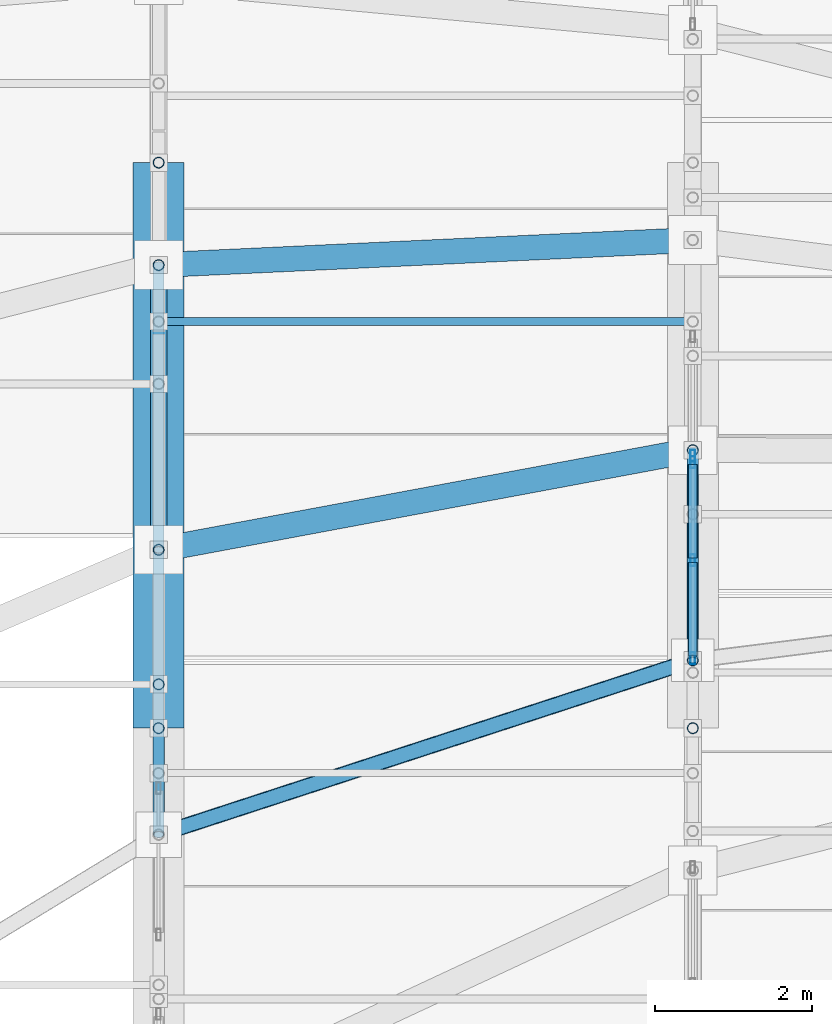
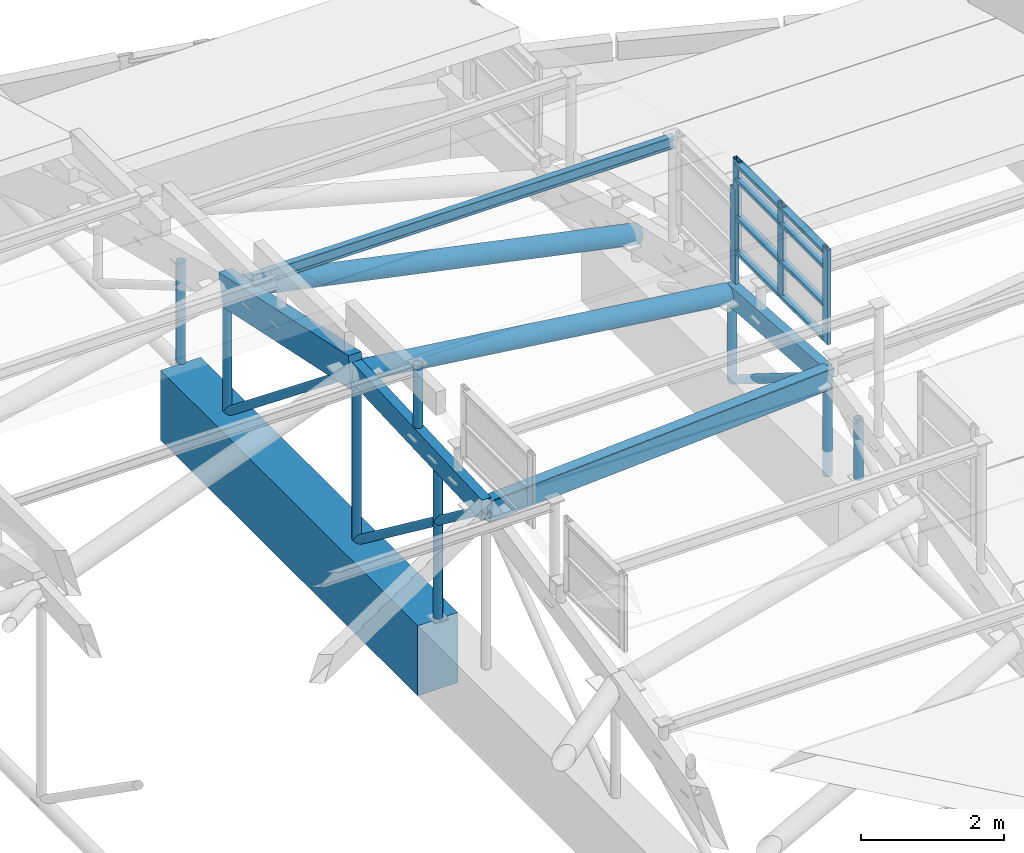
# One storey, part 104 of 188: 30 members, 1 beam, 2 elements without a shape of their own.
"""IFC4 building model written with IfcOpenShell, lengths in metres."""

from ifc_helpers import new_model, si_unit, direction, frame, origin, origin_2d, place, context, subcontext, project, spatial, rectangle, hollow_rectangle, hollow_circle, i_section, extrude, material, layer, layer_set, material_profile, profile_set, type_object, element, aggregate, save


model = new_model("IFC4")

# Units and contexts
model_context = context("Model", 3, precision=1e-05, world=origin(), true_north=direction((0.0, 1.0)))
body_context = subcontext(model_context, "Body", "Model", "MODEL_VIEW")
ifc_project = project(units=[si_unit("LENGTHUNIT", "METRE"), si_unit("AREAUNIT", "SQUARE_METRE"), si_unit("VOLUMEUNIT", "CUBIC_METRE"), si_unit("PLANEANGLEUNIT", "RADIAN"), si_unit("MASSUNIT", "GRAM", prefix="KILO")], contexts=[model_context])

# Site, building, storey
site_placement = place(None, origin())
site = spatial("IfcSite", under=ifc_project, at=site_placement, CompositionType="ELEMENT")
building_placement = place(site_placement, origin())
building = spatial("IfcBuilding", under=site, at=building_placement, Name="Kisaragi Civic Commons", CompositionType="ELEMENT")
storey_placement = place(building_placement, frame((0.0, 0.0, 9.60009765625)))
storey = spatial("IfcBuildingStorey", under=building, at=storey_placement, Name="L02", CompositionType="ELEMENT", Elevation=9.60009765625)

# Curtain wall, members
ifc_material_1 = material(Name="Thermally broken anodized aluminium and low-E double glazing", Category="aluminium")
ifc_layer = layer(ifc_material_1, 0.14990234375, Name="Thermally broken anodized aluminium and low-E double glazing", Category="aluminium")
ifc_layer_set = layer_set([ifc_layer], Name="Thermally broken anodized aluminium and low-E double glazing")
curtain_wall_type = type_object("IfcCurtainWallType", Name="CW-03", PredefinedType="NOTDEFINED", material=ifc_layer_set)
curtain_wall_1_placement = place(storey_placement, origin())
curtain_wall_1 = element("IfcCurtainWall", 1, at=curtain_wall_1_placement, inside=storey, type_object=curtain_wall_type, Name="L02 curtain wall CW-03 CW-CL-V2-216", PredefinedType="NOTDEFINED")
ifc_material_profile_1 = material_profile(ifc_material_1, hollow_rectangle(XDim=0.06005859375, YDim=0.14990234375, WallThickness=0.00390625, InnerFilletRadius=0.00390625, OuterFilletRadius=0.008056640625, at=origin_2d()), Name="CWM-60x150x4", Category="aluminium")
ifc_profile_set_1 = profile_set([ifc_material_profile_1], Name="Thermally broken anodized aluminium and low-E double glazing")
member_type_1 = type_object("IfcMemberType", Name="CWM-01", PredefinedType="MULLION", material=ifc_profile_set_1)
member_1_placement = place(storey_placement, frame((40.800048828125, 105.291748046875, 1.763427734375), z_axis=(0.0, 0.0, 1.0), x_axis=(-1.0, 0.0, 0.0)))
member_1 = element("IfcMember", 2, at=member_1_placement, type_object=member_type_1, Name="CW-03 mullion 1", PredefinedType="MULLION", context=body_context, shape_type="SweptSolid", body=[
    extrude(hollow_rectangle(XDim=0.06005859375, YDim=0.14990234375, WallThickness=0.00390625, InnerFilletRadius=0.00390625, OuterFilletRadius=0.008056640625, at=origin_2d()), origin(), (0.0, 0.0, 1.0), 1.619384765625),
])
member_2_placement = place(storey_placement, frame((40.800048828125, 106.53857421875, 1.763427734375), z_axis=(0.0, 0.0, 1.0), x_axis=(-1.0, 0.0, 0.0)))
member_2 = element("IfcMember", 3, at=member_2_placement, type_object=member_type_1, Name="CW-03 mullion 2", PredefinedType="MULLION", context=body_context, shape_type="SweptSolid", body=[
    extrude(hollow_rectangle(XDim=0.06005859375, YDim=0.14990234375, WallThickness=0.00390625, InnerFilletRadius=0.00390625, OuterFilletRadius=0.008056640625, at=origin_2d()), origin(), (0.0, 0.0, 1.0), 1.619384765625),
])
member_3_placement = place(storey_placement, frame((40.800048828125, 107.785400390625, 1.763427734375), z_axis=(0.0, 0.0, 1.0), x_axis=(-1.0, 0.0, 0.0)))
member_3 = element("IfcMember", 4, at=member_3_placement, type_object=member_type_1, Name="CW-03 mullion 3", PredefinedType="MULLION", context=body_context, shape_type="SweptSolid", body=[
    extrude(hollow_rectangle(XDim=0.06005859375, YDim=0.14990234375, WallThickness=0.00390625, InnerFilletRadius=0.00390625, OuterFilletRadius=0.008056640625, at=origin_2d()), origin(), (0.0, 0.0, 1.0), 1.619384765625),
])

# Curtain wall, member
curtain_wall_2_placement = place(storey_placement, origin())
curtain_wall_2 = element("IfcCurtainWall", 5, at=curtain_wall_2_placement, inside=storey, type_object=curtain_wall_type, Name="L02 curtain wall CW-03 CW-CL-V2-217", PredefinedType="NOTDEFINED")
member_4_placement = place(storey_placement, frame((40.800048828125, 107.869384765625, 1.235595703125), z_axis=(0.0, 0.0, 1.0), x_axis=(-1.0, 0.0, 0.0)))
member_4 = element("IfcMember", 6, at=member_4_placement, type_object=member_type_1, Name="CW-03 mullion 1", PredefinedType="MULLION", context=body_context, shape_type="SweptSolid", body=[
    extrude(hollow_rectangle(XDim=0.06005859375, YDim=0.14990234375, WallThickness=0.00390625, InnerFilletRadius=0.00390625, OuterFilletRadius=0.008056640625, at=origin_2d()), origin(), (0.0, 0.0, 1.0), 1.61962890625),
])
aggregate(curtain_wall_2, [member_4])

# Member
ifc_material_profile_2 = material_profile(ifc_material_1, hollow_rectangle(XDim=0.1201171875, YDim=0.06005859375, WallThickness=0.00390625, InnerFilletRadius=0.00390625, OuterFilletRadius=0.008056640625, at=origin_2d()), Name="CWT-60x120x4", Category="aluminium")
ifc_profile_set_2 = profile_set([ifc_material_profile_2], Name="Thermally broken anodized aluminium and low-E double glazing")
member_type_2 = type_object("IfcMemberType", Name="CWT-01", PredefinedType="USERDEFINED", material=ifc_profile_set_2)
member_5_placement = place(storey_placement, frame((40.800048828125, 105.32177734375, 1.823486328125), z_axis=(0.0, 1.0, 0.0), x_axis=(-1.0, 0.0, 0.0)))
member_5 = element("IfcMember", 7, at=member_5_placement, type_object=member_type_2, Name="CW-03 transom 1.1", ObjectType="TRANSOM", PredefinedType="USERDEFINED", context=body_context, shape_type="SweptSolid", body=[
    extrude(hollow_rectangle(XDim=0.1201171875, YDim=0.06005859375, WallThickness=0.00390625, InnerFilletRadius=0.00390625, OuterFilletRadius=0.008056640625, at=origin_2d()), origin(), (0.0, 0.0, 1.0), 1.186767578125),
])

member_6_placement = place(storey_placement, frame((40.800048828125, 105.32177734375, 2.413330078125), z_axis=(0.0, 1.0, 0.0), x_axis=(-1.0, 0.0, 0.0)))
member_6 = element("IfcMember", 8, at=member_6_placement, type_object=member_type_2, Name="CW-03 transom 1.2", ObjectType="TRANSOM", PredefinedType="USERDEFINED", context=body_context, shape_type="SweptSolid", body=[
    extrude(hollow_rectangle(XDim=0.1201171875, YDim=0.06005859375, WallThickness=0.00390625, InnerFilletRadius=0.00390625, OuterFilletRadius=0.008056640625, at=origin_2d()), origin(), (0.0, 0.0, 1.0), 1.186767578125),
])

member_7_placement = place(storey_placement, frame((40.800048828125, 105.32177734375, 3.0634765625), z_axis=(0.0, 1.0, 0.0), x_axis=(-1.0, 0.0, 0.0)))
member_7 = element("IfcMember", 9, at=member_7_placement, type_object=member_type_2, Name="CW-03 transom 1.3", ObjectType="TRANSOM", PredefinedType="USERDEFINED", context=body_context, shape_type="SweptSolid", body=[
    extrude(hollow_rectangle(XDim=0.1201171875, YDim=0.06005859375, WallThickness=0.00390625, InnerFilletRadius=0.00390625, OuterFilletRadius=0.008056640625, at=origin_2d()), origin(), (0.0, 0.0, 1.0), 1.186767578125),
])

member_8_placement = place(storey_placement, frame((40.800048828125, 105.32177734375, 3.322998046875), z_axis=(0.0, 1.0, 0.0), x_axis=(-1.0, 0.0, 0.0)))
member_8 = element("IfcMember", 10, at=member_8_placement, type_object=member_type_2, Name="CW-03 transom 1.4", ObjectType="TRANSOM", PredefinedType="USERDEFINED", context=body_context, shape_type="SweptSolid", body=[
    extrude(hollow_rectangle(XDim=0.1201171875, YDim=0.06005859375, WallThickness=0.00390625, InnerFilletRadius=0.00390625, OuterFilletRadius=0.008056640625, at=origin_2d()), origin(), (0.0, 0.0, 1.0), 1.186767578125),
])

member_9_placement = place(storey_placement, frame((40.800048828125, 106.568603515625, 1.823486328125), z_axis=(0.0, 1.0, 0.0), x_axis=(-1.0, 0.0, 0.0)))
member_9 = element("IfcMember", 11, at=member_9_placement, type_object=member_type_2, Name="CW-03 transom 2.1", ObjectType="TRANSOM", PredefinedType="USERDEFINED", context=body_context, shape_type="SweptSolid", body=[
    extrude(hollow_rectangle(XDim=0.1201171875, YDim=0.06005859375, WallThickness=0.00390625, InnerFilletRadius=0.00390625, OuterFilletRadius=0.008056640625, at=origin_2d()), origin(), (0.0, 0.0, 1.0), 1.186767578125),
])

member_10_placement = place(storey_placement, frame((40.800048828125, 106.568603515625, 2.413330078125), z_axis=(0.0, 1.0, 0.0), x_axis=(-1.0, 0.0, 0.0)))
member_10 = element("IfcMember", 12, at=member_10_placement, type_object=member_type_2, Name="CW-03 transom 2.2", ObjectType="TRANSOM", PredefinedType="USERDEFINED", context=body_context, shape_type="SweptSolid", body=[
    extrude(hollow_rectangle(XDim=0.1201171875, YDim=0.06005859375, WallThickness=0.00390625, InnerFilletRadius=0.00390625, OuterFilletRadius=0.008056640625, at=origin_2d()), origin(), (0.0, 0.0, 1.0), 1.186767578125),
])

member_11_placement = place(storey_placement, frame((40.800048828125, 106.568603515625, 3.0634765625), z_axis=(0.0, 1.0, 0.0), x_axis=(-1.0, 0.0, 0.0)))
member_11 = element("IfcMember", 13, at=member_11_placement, type_object=member_type_2, Name="CW-03 transom 2.3", ObjectType="TRANSOM", PredefinedType="USERDEFINED", context=body_context, shape_type="SweptSolid", body=[
    extrude(hollow_rectangle(XDim=0.1201171875, YDim=0.06005859375, WallThickness=0.00390625, InnerFilletRadius=0.00390625, OuterFilletRadius=0.008056640625, at=origin_2d()), origin(), (0.0, 0.0, 1.0), 1.186767578125),
])

member_12_placement = place(storey_placement, frame((40.800048828125, 106.568603515625, 3.322998046875), z_axis=(0.0, 1.0, 0.0), x_axis=(-1.0, 0.0, 0.0)))
member_12 = element("IfcMember", 14, at=member_12_placement, type_object=member_type_2, Name="CW-03 transom 2.4", ObjectType="TRANSOM", PredefinedType="USERDEFINED", context=body_context, shape_type="SweptSolid", body=[
    extrude(hollow_rectangle(XDim=0.1201171875, YDim=0.06005859375, WallThickness=0.00390625, InnerFilletRadius=0.00390625, OuterFilletRadius=0.008056640625, at=origin_2d()), origin(), (0.0, 0.0, 1.0), 1.186767578125),
])

aggregate(curtain_wall_1, [member_1, member_2, member_3, member_5, member_6, member_7, member_8, member_9, member_10, member_11, member_12])

# Beam
ifc_material_2 = material(Name="Concrete Fc36", Category="concrete")
ifc_material_profile_3 = material_profile(ifc_material_2, rectangle(XDim=0.64990234375, YDim=1.199951171875, at=origin_2d()), Name="RC-650x1200", Category="concrete")
ifc_profile_set_3 = profile_set([ifc_material_profile_3], Name="Concrete Fc36")
beam_type = type_object("IfcBeamType", Name="G-07", PredefinedType="BEAM", material=ifc_profile_set_3)
beam_placement = place(storey_placement, frame((34.0, 104.39990234375, -0.650146484375), z_axis=(0.0, 1.0, 0.0), x_axis=(-1.0, 0.0, 0.0)))
element("IfcBeam", 15, at=beam_placement, inside=storey, type_object=beam_type, Name="V2 arch transfer RC girder G-07 R5", PredefinedType="BEAM", context=body_context, shape_type="SweptSolid", body=[
    extrude(rectangle(XDim=0.64990234375, YDim=1.199951171875, at=origin_2d()), origin(), (0.0, 0.0, 1.0), 7.2001953125),
])

# Members
ifc_material_3 = material(Name="Steel SN490 (SN490B)", Category="steel")
ifc_material_profile_4 = material_profile(ifc_material_3, hollow_circle(Radius=0.1591796875, WallThickness=0.01025390625, at=origin_2d()), Name="CHS-318.5x10.3", Category="steel")
ifc_profile_set_4 = profile_set([ifc_material_profile_4], Name="Steel SN490 (SN490B)")
member_type_3 = type_object("IfcMemberType", Name="GC-03", PredefinedType="CHORD", material=ifc_profile_set_4)
member_13_placement = place(storey_placement, frame((34.0, 106.67041015625, 2.81201171875), z_axis=(0.951042647151, 0.177486076182, -0.25301497201), x_axis=(-0.183455277392, 0.983028057177, 0.0)))
element("IfcMember", 16, at=member_13_placement, inside=storey, type_object=member_type_3, Name="V2 wave gridshell chord GC-03 40", PredefinedType="CHORD", context=body_context, shape_type="SweptSolid", body=[
    extrude(hollow_circle(Radius=0.1591796875, WallThickness=0.01025390625, at=origin_2d()), origin(), (0.0, 0.0, 1.0), 7.150146484375),
])
member_14_placement = place(storey_placement, frame((34.0, 110.29541015625, 2.040283203125), z_axis=(0.9707394037, 0.045551875943, -0.235775394608), x_axis=(-0.046873349317, 0.998900840486, 0.0)))
element("IfcMember", 17, at=member_14_placement, inside=storey, type_object=member_type_3, Name="V2 wave gridshell chord GC-03 41", PredefinedType="CHORD", context=body_context, shape_type="SweptSolid", body=[
    extrude(hollow_circle(Radius=0.1591796875, WallThickness=0.01025390625, at=origin_2d()), origin(), (0.0, 0.0, 1.0), 7.005126953125),
])
ifc_material_profile_5 = material_profile(ifc_material_3, hollow_rectangle(XDim=0.199951171875, YDim=0.35009765625, WallThickness=0.009033203125, InnerFilletRadius=0.009033203125, OuterFilletRadius=0.01806640625, at=origin_2d()), Name="STKR-350x200x9", Category="steel")
ifc_profile_set_5 = profile_set([ifc_material_profile_5], Name="Steel SN490 (SN490B)")
member_type_4 = type_object("IfcMemberType", Name="GC-04", PredefinedType="CHORD", material=ifc_profile_set_5)
member_15_placement = place(storey_placement, frame((34.0, 103.045166015625, 2.65380859375), z_axis=(0.931466330677, 0.304023279797, -0.1998507447), x_axis=(-0.310282816147, 0.950644294152, 0.0)))
element("IfcMember", 18, at=member_15_placement, inside=storey, type_object=member_type_4, Name="V2 wave gridshell chord GC-04 39", PredefinedType="CHORD", context=body_context, shape_type="SweptSolid", body=[
    extrude(hollow_rectangle(XDim=0.199951171875, YDim=0.35009765625, WallThickness=0.009033203125, InnerFilletRadius=0.009033203125, OuterFilletRadius=0.01806640625, at=origin_2d()), origin(), (0.0, 0.0, 1.0), 7.30029296875),
])
ifc_material_4 = material(Name="Glulam E120-F330", Category="wood")
ifc_material_profile_6 = material_profile(ifc_material_4, rectangle(XDim=0.2099609375, YDim=0.5400390625, at=origin_2d()), Name="GL-210x540", Category="wood")
ifc_profile_set_6 = profile_set([ifc_material_profile_6], Name="Glulam E120-F330")
member_type_5 = type_object("IfcMemberType", Name="GR-04", PredefinedType="RAFTER", material=ifc_profile_set_6)
member_16_placement = place(storey_placement, frame((34.0, 106.67041015625, 2.81201171875), z_axis=(0.0, 0.978081102003, -0.208224297106), x_axis=(-1.0, 0.0, 0.0)))
element("IfcMember", 19, at=member_16_placement, inside=storey, type_object=member_type_5, Name="V2 glulam arch rib GR-04 46", PredefinedType="RAFTER", context=body_context, shape_type="SweptSolid", body=[
    extrude(rectangle(XDim=0.2099609375, YDim=0.5400390625, at=origin_2d()), origin(), (0.0, 0.0, 1.0), 3.706298828125),
])
ifc_material_profile_7 = material_profile(ifc_material_4, rectangle(XDim=0.14990234375, YDim=0.360107421875, at=origin_2d()), Name="GL-150x360", Category="wood")
ifc_profile_set_7 = profile_set([ifc_material_profile_7], Name="Glulam E120-F330")
member_type_6 = type_object("IfcMemberType", Name="GR-06", PredefinedType="RAFTER", material=ifc_profile_set_7)
member_17_placement = place(storey_placement, frame((34.0, 103.045166015625, 2.65380859375), z_axis=(0.0, 0.999049163503, 0.043597808469), x_axis=(-1.0, 0.0, 0.0)))
element("IfcMember", 20, at=member_17_placement, inside=storey, type_object=member_type_6, Name="V2 glulam arch rib GR-06 45", PredefinedType="RAFTER", context=body_context, shape_type="SweptSolid", body=[
    extrude(rectangle(XDim=0.14990234375, YDim=0.360107421875, at=origin_2d()), origin(), (0.0, 0.0, 1.0), 3.628662109375),
])
member_18_placement = place(storey_placement, frame((40.800048828125, 105.2646484375, 1.19482421875), z_axis=(0.0, 0.997436469102, -0.071557599919), x_axis=(-1.0, 0.0, 0.0)))
element("IfcMember", 21, at=member_18_placement, inside=storey, type_object=member_type_6, Name="V2 glulam arch rib GR-06 53", PredefinedType="RAFTER", context=body_context, shape_type="SweptSolid", body=[
    extrude(rectangle(XDim=0.14990234375, YDim=0.360107421875, at=origin_2d()), origin(), (0.0, 0.0, 1.0), 2.681640625),
])
ifc_material_5 = material(Name="Steel SN400 (SN400B)", Category="steel")
ifc_material_profile_8 = material_profile(ifc_material_5, i_section(OverallWidth=0.10009765625, OverallDepth=0.199951171875, WebThickness=0.005615234375, FlangeThickness=0.008056640625, FilletRadius=0.008056640625, at=origin_2d()), Name="H-200x100x5.5x8", Category="steel")
ifc_profile_set_8 = profile_set([ifc_material_profile_8], Name="Steel SN400 (SN400B)")
member_type_7 = type_object("IfcMemberType", Name="PR-02", PredefinedType="PURLIN", material=ifc_profile_set_8)
member_19_placement = place(storey_placement, frame((34.0, 109.576904296875, 2.61328125), z_axis=(1.0, 0.0, 0.0), x_axis=(0.0, 1.0, 0.0)))
element("IfcMember", 22, at=member_19_placement, inside=storey, type_object=member_type_7, Name="V2 wave vault steel purlin 45", PredefinedType="PURLIN", context=body_context, shape_type="SweptSolid", body=[
    extrude(i_section(OverallWidth=0.10009765625, OverallDepth=0.199951171875, WebThickness=0.005615234375, FlangeThickness=0.008056640625, FilletRadius=0.008056640625, at=origin_2d()), origin(), (0.0, 0.0, 1.0), 6.800048828125),
])
ifc_material_profile_9 = material_profile(ifc_material_3, hollow_circle(Radius=0.06982421875, WallThickness=0.006103515625, at=origin_2d()), Name="CHS-139.8x6.0", Category="steel")
ifc_profile_set_9 = profile_set([ifc_material_profile_9], Name="Steel SN490 (SN490B)")
member_type_8 = type_object("IfcMemberType", Name="ST-H1", PredefinedType="STRUT", material=ifc_profile_set_9)
member_20_placement = place(storey_placement, frame((34.0, 106.67041015625, -0.080078125), z_axis=(0.0, 0.0, 1.0), x_axis=(1.0, 0.0, 0.0)))
element("IfcMember", 23, at=member_20_placement, inside=storey, type_object=member_type_8, Name="V2 arch tie hanger strut 78", PredefinedType="STRUT", context=body_context, shape_type="SweptSolid", body=[
    extrude(hollow_circle(Radius=0.06982421875, WallThickness=0.006103515625, at=origin_2d()), origin(), (0.0, 0.0, 1.0), 2.89208984375),
])
member_21_placement = place(storey_placement, frame((34.0, 110.29541015625, -0.080078125), z_axis=(0.0, 0.0, 1.0), x_axis=(1.0, 0.0, 0.0)))
element("IfcMember", 24, at=member_21_placement, inside=storey, type_object=member_type_8, Name="V2 arch tie hanger strut 79", PredefinedType="STRUT", context=body_context, shape_type="SweptSolid", body=[
    extrude(hollow_circle(Radius=0.06982421875, WallThickness=0.006103515625, at=origin_2d()), origin(), (0.0, 0.0, 1.0), 2.120361328125),
])
member_22_placement = place(storey_placement, frame((34.0, 106.67041015625, -0.080078125), z_axis=(0.0, -0.798416413719, 0.602105663737), x_axis=(1.0, 0.0, 0.0)))
element("IfcMember", 25, at=member_22_placement, inside=storey, type_object=member_type_8, Name="V2 tied arch truss diagonal web strut 84", PredefinedType="STRUT", context=body_context, shape_type="SweptSolid", body=[
    extrude(hollow_circle(Radius=0.06982421875, WallThickness=0.006103515625, at=origin_2d()), origin(), (0.0, 0.0, 1.0), 4.54052734375),
])
member_23_placement = place(storey_placement, frame((34.0, 110.29541015625, -0.080078125), z_axis=(0.0, -0.781700193546, 0.623654397411), x_axis=(1.0, 0.0, 0.0)))
element("IfcMember", 26, at=member_23_placement, inside=storey, type_object=member_type_8, Name="V2 tied arch truss diagonal web strut 85", PredefinedType="STRUT", context=body_context, shape_type="SweptSolid", body=[
    extrude(hollow_circle(Radius=0.06982421875, WallThickness=0.006103515625, at=origin_2d()), origin(), (0.0, 0.0, 1.0), 4.63720703125),
])
member_24_placement = place(storey_placement, frame((40.800048828125, 105.2646484375, -0.48193359375), z_axis=(0.0, 0.0, 1.0), x_axis=(1.0, 0.0, 0.0)))
element("IfcMember", 27, at=member_24_placement, inside=storey, type_object=member_type_8, Name="V2 arch tie hanger strut 91", PredefinedType="STRUT", context=body_context, shape_type="SweptSolid", body=[
    extrude(hollow_circle(Radius=0.06982421875, WallThickness=0.006103515625, at=origin_2d()), origin(), (0.0, 0.0, 1.0), 1.6767578125),
])
member_25_placement = place(storey_placement, frame((40.800048828125, 107.939453125, -0.48193359375), z_axis=(0.0, 0.0, 1.0), x_axis=(1.0, 0.0, 0.0)))
element("IfcMember", 28, at=member_25_placement, inside=storey, type_object=member_type_8, Name="V2 arch tie hanger strut 92", PredefinedType="STRUT", context=body_context, shape_type="SweptSolid", body=[
    extrude(hollow_circle(Radius=0.06982421875, WallThickness=0.006103515625, at=origin_2d()), origin(), (0.0, 0.0, 1.0), 1.48486328125),
])
member_26_placement = place(storey_placement, frame((40.800048828125, 107.939453125, -0.48193359375), z_axis=(0.0, -0.847285010639, 0.531138504296), x_axis=(1.0, 0.0, 0.0)))
element("IfcMember", 29, at=member_26_placement, inside=storey, type_object=member_type_8, Name="V2 tied arch truss diagonal web strut 95", PredefinedType="STRUT", context=body_context, shape_type="SweptSolid", body=[
    extrude(hollow_circle(Radius=0.06982421875, WallThickness=0.006103515625, at=origin_2d()), origin(), (0.0, 0.0, 1.0), 3.156982421875),
])
member_27_placement = place(storey_placement, frame((34.0, 104.39990234375, -0.02001953125), z_axis=(0.0, 0.0, 1.0), x_axis=(1.0, 0.0, 0.0)))
element("IfcMember", 30, at=member_27_placement, inside=storey, type_object=member_type_8, Name="V2 interior column arch support post (34.0,104.4)", PredefinedType="STRUT", context=body_context, shape_type="SweptSolid", body=[
    extrude(hollow_circle(Radius=0.06982421875, WallThickness=0.006103515625, at=origin_2d()), origin(), (0.0, 0.0, 1.0), 2.73291015625),
])
member_28_placement = place(storey_placement, frame((34.0, 111.60009765625, -0.02001953125), z_axis=(0.0, 0.0, 1.0), x_axis=(1.0, 0.0, 0.0)))
element("IfcMember", 31, at=member_28_placement, inside=storey, type_object=member_type_8, Name="V2 interior column arch support post (34.0,111.6)", PredefinedType="STRUT", context=body_context, shape_type="SweptSolid", body=[
    extrude(hollow_circle(Radius=0.06982421875, WallThickness=0.006103515625, at=origin_2d()), origin(), (0.0, 0.0, 1.0), 1.73583984375),
])
member_29_placement = place(storey_placement, frame((40.800048828125, 104.39990234375, -0.02001953125), z_axis=(0.0, 0.0, 1.0), x_axis=(1.0, 0.0, 0.0)))
element("IfcMember", 32, at=member_29_placement, inside=storey, type_object=member_type_8, Name="V2 interior column arch support post (40.8,104.4)", PredefinedType="STRUT", context=body_context, shape_type="SweptSolid", body=[
    extrude(hollow_circle(Radius=0.06982421875, WallThickness=0.006103515625, at=origin_2d()), origin(), (0.0, 0.0, 1.0), 1.031005859375),
])
member_30_placement = place(storey_placement, frame((34.0, 104.957763671875, 2.7373046875), z_axis=(0.0, 0.0, 1.0), x_axis=(1.0, 0.0, 0.0)))
element("IfcMember", 33, at=member_30_placement, inside=storey, type_object=member_type_8, Name="V2 clerestory monitor horizontal tie strut 5.5.5", PredefinedType="STRUT", context=body_context, shape_type="SweptSolid", body=[
    extrude(hollow_circle(Radius=0.06982421875, WallThickness=0.006103515625, at=origin_2d()), origin(), (0.0, 0.0, 1.0), 1.252197265625),
])

save(model, "model.ifc")
